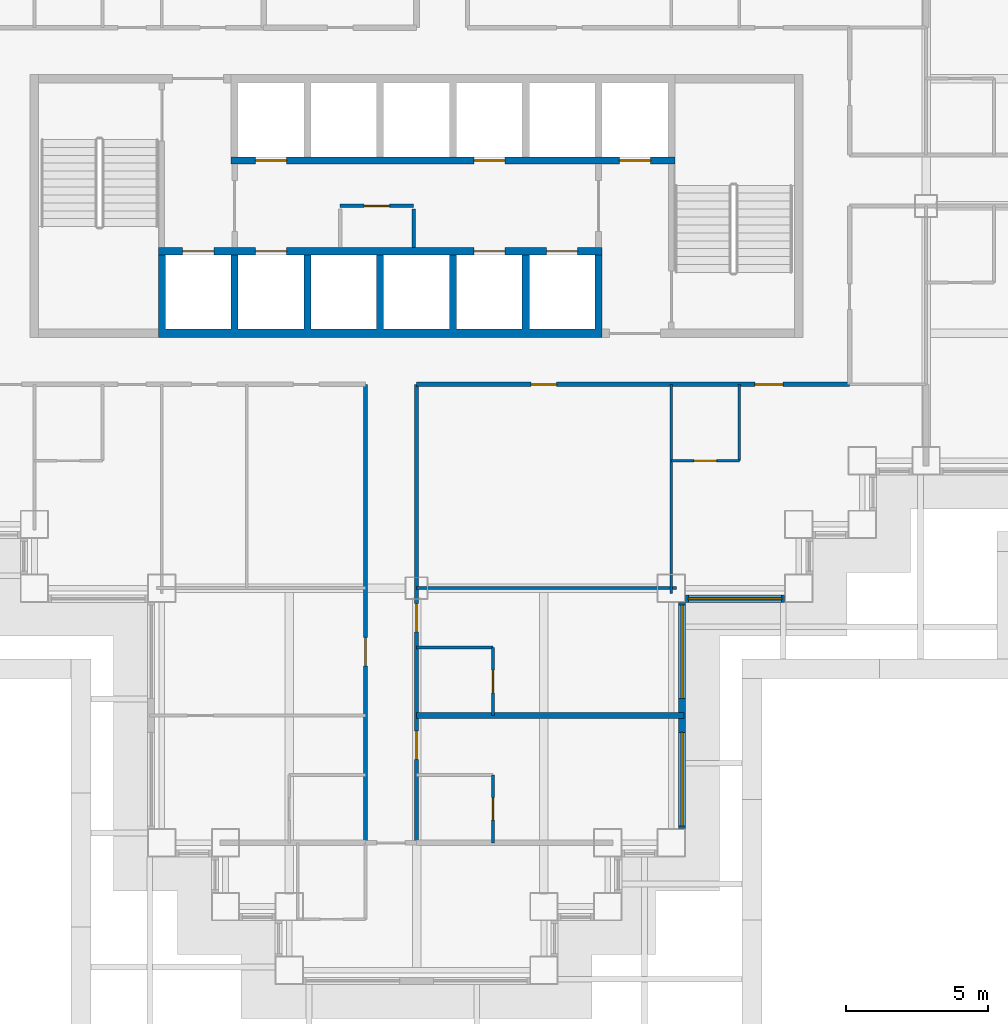
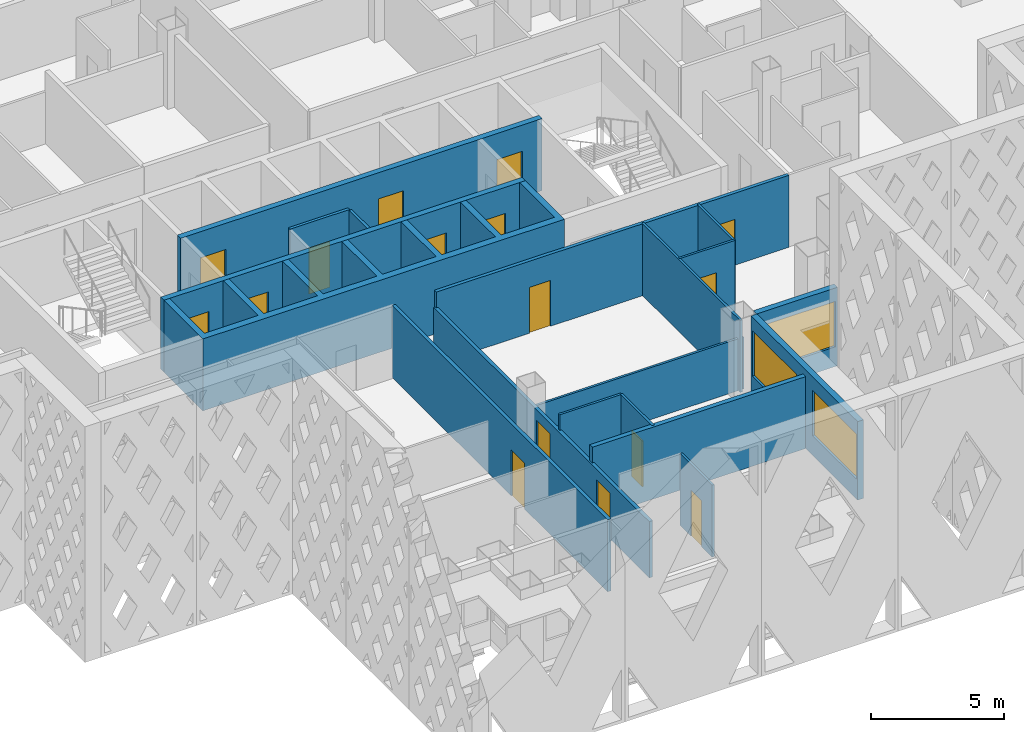
# One storey, part 5 of 19: 18 walls, 16 doors, 3 windows, 19 openings.
"""IFC4 building model written with IfcOpenShell, lengths in metres."""

from ifc_helpers import new_model, si_unit, direction, frame, frame_2d, origin, place, context, subcontext, project, spatial, polyline, rectangle, outline, extrude, material, layer, layer_set, type_object, element, fill, save


model = new_model("IFC4")

# Units and contexts
model_context = context("Model", 3, precision=1e-05, world=origin(), true_north=direction((0.0, 1.0)))
body_context = subcontext(model_context, "Body", "Model", "MODEL_VIEW")
ifc_project = project(units=[si_unit("LENGTHUNIT", "METRE"), si_unit("AREAUNIT", "SQUARE_METRE"), si_unit("VOLUMEUNIT", "CUBIC_METRE"), si_unit("PLANEANGLEUNIT", "RADIAN"), si_unit("MASSUNIT", "GRAM", prefix="KILO")], contexts=[model_context])

# Site, building, storey
site_placement = place(None, origin())
site = spatial("IfcSite", under=ifc_project, at=site_placement, CompositionType="ELEMENT")
building_placement = place(site_placement, origin())
building = spatial("IfcBuilding", under=site, at=building_placement, Name="Caravel Reach Hotel and Residences", CompositionType="ELEMENT")
storey_placement = place(building_placement, frame((0.0, 0.0, 63.60009765625)))
storey = spatial("IfcBuildingStorey", under=building, at=storey_placement, Name="L14", CompositionType="ELEMENT", Elevation=63.60009765625)

# Wall
ifc_material_1 = material(Name="Gypsum board on steel stud", Category="steel")
ifc_layer_1 = layer(ifc_material_1, 0.10009765625)
ifc_layer_set_1 = layer_set([ifc_layer_1], Name="Bathroom pod wall 100 mm")
wall_type_1 = type_object("IfcWallType", Name="Bathroom pod wall 100 mm", PredefinedType="PARTITIONING", material=ifc_layer_set_1)
wall_1_placement = place(storey_placement, frame((31.5, 11.39990234375, 0.0), z_axis=(0.0, 0.0, 1.0), x_axis=(1.0, 0.0, 0.0)))
element("IfcWall", 1, at=wall_1_placement, inside=storey, type_object=wall_type_1, Name="L14 wall w074", PredefinedType="PARTITIONING", context=body_context, shape_type="SweptSolid", body=[
    extrude(rectangle(XDim=2.699951171875, YDim=0.10009765625, at=frame_2d((1.35009765625, 0.0))), origin(), (0.0, 0.0, 1.0), 3.2998046875),
])

# Wall, opening, door
wall_2_placement = place(storey_placement, frame((40.5, 18.0, 0.0), z_axis=(0.0, 0.0, 1.0), x_axis=(1.0, 0.0, 0.0)))
wall_2 = element("IfcWall", 2, at=wall_2_placement, inside=storey, type_object=wall_type_1, Name="L14 wall w076", PredefinedType="PARTITIONING", context=body_context, shape_type="SweptSolid", body=[
    extrude(rectangle(XDim=2.39990234375, YDim=0.10009765625, at=frame_2d((1.199951171875, 0.0))), origin(), (0.0, 0.0, 1.0), 3.2998046875),
])
opening_1_placement = place(wall_2_placement, frame((0.800048828125, 0.0, 0.0)))
opening_1 = element("IfcOpeningElement", 3, at=opening_1_placement, cuts=wall_2, Name="Opening D14-050", PredefinedType="OPENING", context=body_context, shape_type="SweptSolid", body=[
    extrude(rectangle(XDim=0.800048828125, YDim=2.10009765625, at=frame_2d((0.39990234375, 1.050048828125))), frame((0.0, 0.06005859375, 0.0), z_axis=(0.0, -1.0, 0.0), x_axis=(1.0, 0.0, 0.0)), (0.0, 0.0, 1.0), 0.1201171875),
])
ifc_material_2 = material(Name="Timber and steel door leaf", Category="steel")
door_type_1 = type_object("IfcDoorType", Name="Bathroom door 800 x 2100", OperationType="SINGLE_SWING_LEFT", PredefinedType="DOOR", material=ifc_material_2)
door_1_placement = place(opening_1_placement, origin())
door_1 = element("IfcDoor", 4, at=door_1_placement, inside=storey, type_object=door_type_1, Name="door D14-050", OperationType="SINGLE_SWING_RIGHT", OverallHeight=2.10009765625, OverallWidth=0.800048828125, PredefinedType="DOOR", context=body_context, shape_type="SweptSolid", body=[
    extrude(rectangle(XDim=0.800048828125, YDim=2.10009765625, at=frame_2d((0.39990234375, 1.050048828125))), frame((0.0, 0.02490234375, 0.0), z_axis=(0.0, -1.0, 0.0), x_axis=(1.0, 0.0, 0.0)), (0.0, 0.0, 1.0), 0.050048828125),
])
fill(opening_1, door_1)

wall_3_placement = place(storey_placement, frame((34.199951171875, 9.0, 0.0), z_axis=(0.0, 0.0, 1.0), x_axis=(0.0, 1.0, 0.0)))
wall_3 = element("IfcWall", 5, at=wall_3_placement, inside=storey, type_object=wall_type_1, Name="L14 wall w098", PredefinedType="PARTITIONING", context=body_context, shape_type="SweptSolid", body=[
    extrude(rectangle(XDim=2.39990234375, YDim=0.10009765625, at=frame_2d((1.199951171875, 0.0))), origin(), (0.0, 0.0, 1.0), 3.2998046875),
])
opening_2_placement = place(wall_3_placement, frame((0.800048828125, 0.0, 0.0)))
opening_2 = element("IfcOpeningElement", 6, at=opening_2_placement, cuts=wall_3, Name="Opening D14-034", PredefinedType="OPENING", context=body_context, shape_type="SweptSolid", body=[
    extrude(rectangle(XDim=0.800048828125, YDim=2.10009765625, at=frame_2d((0.39990234375, 1.050048828125))), frame((0.0, 0.06005859375, 0.0), z_axis=(0.0, -1.0, 0.0), x_axis=(1.0, 0.0, 0.0)), (0.0, 0.0, 1.0), 0.1201171875),
])
door_2_placement = place(opening_2_placement, origin())
door_2 = element("IfcDoor", 7, at=door_2_placement, inside=storey, type_object=door_type_1, Name="door D14-034", OperationType="SINGLE_SWING_LEFT", OverallHeight=2.10009765625, OverallWidth=0.800048828125, PredefinedType="DOOR", context=body_context, shape_type="SweptSolid", body=[
    extrude(rectangle(XDim=0.800048828125, YDim=2.10009765625, at=frame_2d((0.39990234375, 1.050048828125))), frame((0.0, 0.02490234375, 0.0), z_axis=(0.0, -1.0, 0.0), x_axis=(1.0, 0.0, 0.0)), (0.0, 0.0, 1.0), 0.050048828125),
])
fill(opening_2, door_2)

wall_4_placement = place(storey_placement, frame((34.199951171875, 4.5, 0.0), z_axis=(0.0, 0.0, 1.0), x_axis=(0.0, 1.0, 0.0)))
wall_4 = element("IfcWall", 8, at=wall_4_placement, inside=storey, type_object=wall_type_1, Name="L14 wall w099", PredefinedType="PARTITIONING", context=body_context, shape_type="SweptSolid", body=[
    extrude(rectangle(XDim=2.39990234375, YDim=0.10009765625, at=frame_2d((1.199951171875, 0.0))), origin(), (0.0, 0.0, 1.0), 3.2998046875),
])
opening_3_placement = place(wall_4_placement, frame((0.800048828125, 0.0, 0.0)))
opening_3 = element("IfcOpeningElement", 9, at=opening_3_placement, cuts=wall_4, Name="Opening D14-036", PredefinedType="OPENING", context=body_context, shape_type="SweptSolid", body=[
    extrude(rectangle(XDim=0.800048828125, YDim=2.10009765625, at=frame_2d((0.39990234375, 1.050048828125))), frame((0.0, 0.06005859375, 0.0), z_axis=(0.0, -1.0, 0.0), x_axis=(1.0, 0.0, 0.0)), (0.0, 0.0, 1.0), 0.1201171875),
])
door_3_placement = place(opening_3_placement, origin())
door_3 = element("IfcDoor", 10, at=door_3_placement, inside=storey, type_object=door_type_1, Name="door D14-036", OperationType="SINGLE_SWING_LEFT", OverallHeight=2.10009765625, OverallWidth=0.800048828125, PredefinedType="DOOR", context=body_context, shape_type="SweptSolid", body=[
    extrude(rectangle(XDim=0.800048828125, YDim=2.10009765625, at=frame_2d((0.39990234375, 1.050048828125))), frame((0.0, 0.02490234375, 0.0), z_axis=(0.0, -1.0, 0.0), x_axis=(1.0, 0.0, 0.0)), (0.0, 0.0, 1.0), 0.050048828125),
])
fill(opening_3, door_3)

# Wall
wall_5_placement = place(storey_placement, frame((42.89990234375, 18.0, 0.0), z_axis=(0.0, 0.0, 1.0), x_axis=(0.0, 1.0, 0.0)))
element("IfcWall", 11, at=wall_5_placement, inside=storey, type_object=wall_type_1, Name="L14 wall w102", PredefinedType="PARTITIONING", context=body_context, shape_type="SweptSolid", body=[
    extrude(rectangle(XDim=2.699951171875, YDim=0.10009765625, at=frame_2d((1.35009765625, 0.0))), origin(), (0.0, 0.0, 1.0), 3.2998046875),
])

# Wall, openings, doors
ifc_material_3 = material(Name="Gypsum board on steel stud, fire-rated", Category="steel")
ifc_layer_2 = layer(ifc_material_3, 0.14990234375)
ifc_layer_set_2 = layer_set([ifc_layer_2], Name="Corridor wall 150 mm EI 60")
wall_type_2 = type_object("IfcWallType", Name="Corridor wall 150 mm EI 60", PredefinedType="PARTITIONING", material=ifc_layer_set_2)
wall_6_placement = place(storey_placement, frame((31.5, 20.699951171875, 0.0), z_axis=(0.0, 0.0, 1.0), x_axis=(1.0, 0.0, 0.0)))
wall_6 = element("IfcWall", 12, at=wall_6_placement, inside=storey, type_object=wall_type_2, Name="L14 wall w005", PredefinedType="PARTITIONING", context=body_context, shape_type="SweptSolid", body=[
    extrude(rectangle(XDim=15.300048828125, YDim=0.14990234375, at=frame_2d((7.64990234375, 0.0))), origin(), (0.0, 0.0, 1.0), 3.2998046875),
])
opening_4_placement = place(wall_6_placement, frame((11.949951171875, 0.0, 0.0)))
opening_4 = element("IfcOpeningElement", 13, at=opening_4_placement, cuts=wall_6, Name="Opening D14-049", PredefinedType="OPENING", context=body_context, shape_type="SweptSolid", body=[
    extrude(rectangle(XDim=1.0, YDim=2.10009765625, at=frame_2d((0.5, 1.050048828125))), frame((0.0, 0.0849609375, 0.0), z_axis=(0.0, -1.0, 0.0), x_axis=(1.0, 0.0, 0.0)), (0.0, 0.0, 1.0), 0.169921875),
])
opening_5_placement = place(wall_6_placement, frame((4.050048828125, 0.0, 0.0)))
opening_5 = element("IfcOpeningElement", 14, at=opening_5_placement, cuts=wall_6, Name="Opening D14-056", PredefinedType="OPENING", context=body_context, shape_type="SweptSolid", body=[
    extrude(rectangle(XDim=0.89990234375, YDim=2.10009765625, at=frame_2d((0.449951171875, 1.050048828125))), frame((0.0, 0.0849609375, 0.0), z_axis=(0.0, -1.0, 0.0), x_axis=(1.0, 0.0, 0.0)), (0.0, 0.0, 1.0), 0.169921875),
])
ifc_material_4 = material(Name="Timber and steel door leaf", Category="steel")
door_type_2 = type_object("IfcDoorType", Name="Door 900 x 2100 timber", OperationType="SINGLE_SWING_LEFT", PredefinedType="DOOR", material=ifc_material_4)
door_4_placement = place(opening_5_placement, origin())
door_4 = element("IfcDoor", 15, at=door_4_placement, inside=storey, type_object=door_type_2, Name="door D14-056", OperationType="SINGLE_SWING_LEFT", OverallHeight=2.10009765625, OverallWidth=0.89990234375, PredefinedType="DOOR", context=body_context, shape_type="SweptSolid", body=[
    extrude(rectangle(XDim=0.89990234375, YDim=2.10009765625, at=frame_2d((0.449951171875, 1.050048828125))), frame((0.0, 0.02490234375, 0.0), z_axis=(0.0, -1.0, 0.0), x_axis=(1.0, 0.0, 0.0)), (0.0, 0.0, 1.0), 0.050048828125),
])
fill(opening_5, door_4)
ifc_material_5 = material(Name="Steel fire door leaf", Category="steel")
door_type_3 = type_object("IfcDoorType", Name="Guest room door 1000 x 2100 EI 30", OperationType="SINGLE_SWING_LEFT", PredefinedType="DOOR", material=ifc_material_5)
door_5_placement = place(opening_4_placement, origin())
door_5 = element("IfcDoor", 16, at=door_5_placement, inside=storey, type_object=door_type_3, Name="door D14-049", OperationType="SINGLE_SWING_RIGHT", OverallHeight=2.10009765625, OverallWidth=1.0, PredefinedType="DOOR", context=body_context, shape_type="SweptSolid", body=[
    extrude(rectangle(XDim=1.0, YDim=2.10009765625, at=frame_2d((0.5, 1.050048828125))), frame((0.0, 0.02490234375, 0.0), z_axis=(0.0, -1.0, 0.0), x_axis=(1.0, 0.0, 0.0)), (0.0, 0.0, 1.0), 0.050048828125),
])
fill(opening_4, door_5)

# Wall, opening, door
wall_7_placement = place(storey_placement, frame((29.699951171875, 4.5, 0.0), z_axis=(0.0, 0.0, 1.0), x_axis=(0.0, 1.0, 0.0)))
wall_7 = element("IfcWall", 17, at=wall_7_placement, inside=storey, type_object=wall_type_2, Name="L14 wall w024", PredefinedType="PARTITIONING", context=body_context, shape_type="SweptSolid", body=[
    extrude(rectangle(XDim=16.199951171875, YDim=0.14990234375, at=frame_2d((8.10009765625, 0.0))), origin(), (0.0, 0.0, 1.0), 3.2998046875),
])
opening_6_placement = place(wall_7_placement, frame((6.25, 0.0, 0.0)))
opening_6 = element("IfcOpeningElement", 18, at=opening_6_placement, cuts=wall_7, Name="Opening D14-030", PredefinedType="OPENING", context=body_context, shape_type="SweptSolid", body=[
    extrude(rectangle(XDim=1.0, YDim=2.10009765625, at=frame_2d((0.5, 1.050048828125))), frame((0.0, 0.0849609375, 0.0), z_axis=(0.0, -1.0, 0.0), x_axis=(1.0, 0.0, 0.0)), (0.0, 0.0, 1.0), 0.169921875),
])
door_6_placement = place(opening_6_placement, origin())
door_6 = element("IfcDoor", 19, at=door_6_placement, inside=storey, type_object=door_type_3, Name="door D14-030", OperationType="SINGLE_SWING_RIGHT", OverallHeight=2.10009765625, OverallWidth=1.0, PredefinedType="DOOR", context=body_context, shape_type="SweptSolid", body=[
    extrude(rectangle(XDim=1.0, YDim=2.10009765625, at=frame_2d((0.5, 1.050048828125))), frame((0.0, 0.02490234375, 0.0), z_axis=(0.0, -1.0, 0.0), x_axis=(1.0, 0.0, 0.0)), (0.0, 0.0, 1.0), 0.050048828125),
])
fill(opening_6, door_6)

# Wall, openings, doors
wall_8_placement = place(storey_placement, frame((31.5, 4.5, 0.0), z_axis=(0.0, 0.0, 1.0), x_axis=(0.0, 1.0, 0.0)))
wall_8 = element("IfcWall", 20, at=wall_8_placement, inside=storey, type_object=wall_type_2, Name="L14 wall w029", PredefinedType="PARTITIONING", context=body_context, shape_type="SweptSolid", body=[
    extrude(rectangle(XDim=16.199951171875, YDim=0.14990234375, at=frame_2d((8.10009765625, 0.0))), origin(), (0.0, 0.0, 1.0), 2.579833984375),
])
opening_7_placement = place(wall_8_placement, frame((7.449951171875, 0.0, 0.0)))
opening_7 = element("IfcOpeningElement", 21, at=opening_7_placement, cuts=wall_8, Name="Opening D14-033", PredefinedType="OPENING", context=body_context, shape_type="SweptSolid", body=[
    extrude(rectangle(XDim=1.0, YDim=2.10009765625, at=frame_2d((0.5, 1.050048828125))), frame((0.0, 0.0849609375, 0.0), z_axis=(0.0, -1.0, 0.0), x_axis=(1.0, 0.0, 0.0)), (0.0, 0.0, 1.0), 0.169921875),
])
opening_8_placement = place(wall_8_placement, frame((2.949951171875, 0.0, 0.0)))
opening_8 = element("IfcOpeningElement", 22, at=opening_8_placement, cuts=wall_8, Name="Opening D14-035", PredefinedType="OPENING", context=body_context, shape_type="SweptSolid", body=[
    extrude(rectangle(XDim=1.0, YDim=2.10009765625, at=frame_2d((0.5, 1.050048828125))), frame((0.0, 0.0849609375, 0.0), z_axis=(0.0, -1.0, 0.0), x_axis=(1.0, 0.0, 0.0)), (0.0, 0.0, 1.0), 0.169921875),
])
door_7_placement = place(opening_7_placement, origin())
door_7 = element("IfcDoor", 23, at=door_7_placement, inside=storey, type_object=door_type_3, Name="door D14-033", OperationType="SINGLE_SWING_RIGHT", OverallHeight=2.10009765625, OverallWidth=1.0, PredefinedType="DOOR", context=body_context, shape_type="SweptSolid", body=[
    extrude(rectangle(XDim=1.0, YDim=2.10009765625, at=frame_2d((0.5, 1.050048828125))), frame((0.0, 0.02490234375, 0.0), z_axis=(0.0, -1.0, 0.0), x_axis=(1.0, 0.0, 0.0)), (0.0, 0.0, 1.0), 0.050048828125),
])
fill(opening_7, door_7)
door_8_placement = place(opening_8_placement, origin())
door_8 = element("IfcDoor", 24, at=door_8_placement, inside=storey, type_object=door_type_3, Name="door D14-035", OperationType="SINGLE_SWING_RIGHT", OverallHeight=2.10009765625, OverallWidth=1.0, PredefinedType="DOOR", context=body_context, shape_type="SweptSolid", body=[
    extrude(rectangle(XDim=1.0, YDim=2.10009765625, at=frame_2d((0.5, 1.050048828125))), frame((0.0, 0.02490234375, 0.0), z_axis=(0.0, -1.0, 0.0), x_axis=(1.0, 0.0, 0.0)), (0.0, 0.0, 1.0), 0.050048828125),
])
fill(opening_8, door_8)

# Wall, openings, windows
ifc_material_6 = material(Name="Insulated rainscreen wall, aluminium cladding", Category="aluminium")
ifc_layer_3 = layer(ifc_material_6, 0.25)
ifc_layer_set_3 = layer_set([ifc_layer_3], Name="EW1 Tower rainscreen wall")
wall_type_3 = type_object("IfcWallType", Name="EW1 Tower rainscreen wall", PredefinedType="SOLIDWALL", material=ifc_layer_set_3)
wall_9_placement = place(storey_placement, frame((40.875, 5.0, 0.0), z_axis=(0.0, 0.0, 1.0), x_axis=(0.0, 1.0, 0.0)))
wall_9 = element("IfcWall", 25, at=wall_9_placement, inside=storey, type_object=wall_type_3, Name="External wall L14 E10.1", PredefinedType="SOLIDWALL", context=body_context, shape_type="SweptSolid", body=[
    extrude(rectangle(XDim=8.0, YDim=0.25, at=frame_2d((4.0, 0.0))), origin(), (0.0, 0.0, 1.0), 3.599853515625),
])
opening_9_placement = place(wall_9_placement, frame((0.10009765625, 0.0, 0.89990234375)))
opening_9 = element("IfcOpeningElement", 26, at=opening_9_placement, cuts=wall_9, Name="Opening WN4", PredefinedType="OPENING", context=body_context, shape_type="SweptSolid", body=[
    extrude(rectangle(XDim=3.300048828125, YDim=2.080078125, at=frame_2d((1.64990234375, 1.0400390625))), frame((0.0, 0.135009765625, 0.0), z_axis=(0.0, -1.0, 0.0), x_axis=(1.0, 0.0, 0.0)), (0.0, 0.0, 1.0), 0.27001953125),
])
opening_10_placement = place(wall_9_placement, frame((4.60009765625, 0.0, 0.89990234375)))
opening_10 = element("IfcOpeningElement", 27, at=opening_10_placement, cuts=wall_9, Name="Opening WN4", PredefinedType="OPENING", context=body_context, shape_type="SweptSolid", body=[
    extrude(rectangle(XDim=3.300048828125, YDim=2.080078125, at=frame_2d((1.64990234375, 1.0400390625))), frame((0.0, 0.135009765625, 0.0), z_axis=(0.0, -1.0, 0.0), x_axis=(1.0, 0.0, 0.0)), (0.0, 0.0, 1.0), 0.27001953125),
])
ifc_material_7 = material(Name="Dark low-e glazing in black aluminium frame", Category="aluminium")
window_type = type_object("IfcWindowType", Name="Hotel guest room window 3300 x 2080", PartitioningType="SINGLE_PANEL", PredefinedType="WINDOW", material=ifc_material_7)
window_1_placement = place(opening_9_placement, origin())
window_1 = element("IfcWindow", 28, at=window_1_placement, inside=storey, type_object=window_type, Name="Window L14 E10.1.1", OverallHeight=2.080078125, OverallWidth=3.300048828125, PartitioningType="SINGLE_PANEL", PredefinedType="WINDOW", context=body_context, shape_type="SweptSolid", body=[
    extrude(rectangle(XDim=3.300048828125, YDim=2.080078125, at=frame_2d((1.64990234375, 1.0400390625))), frame((0.0, 0.030029296875, 0.0), z_axis=(0.0, -1.0, 0.0), x_axis=(1.0, 0.0, 0.0)), (0.0, 0.0, 1.0), 0.06005859375),
])
fill(opening_9, window_1)
window_2_placement = place(opening_10_placement, origin())
window_2 = element("IfcWindow", 29, at=window_2_placement, inside=storey, type_object=window_type, Name="Window L14 E10.1.2", OverallHeight=2.080078125, OverallWidth=3.300048828125, PartitioningType="SINGLE_PANEL", PredefinedType="WINDOW", context=body_context, shape_type="SweptSolid", body=[
    extrude(rectangle(XDim=3.300048828125, YDim=2.080078125, at=frame_2d((1.64990234375, 1.0400390625))), frame((0.0, 0.030029296875, 0.0), z_axis=(0.0, -1.0, 0.0), x_axis=(1.0, 0.0, 0.0)), (0.0, 0.0, 1.0), 0.06005859375),
])
fill(opening_10, window_2)

# Wall, opening, window
wall_10_placement = place(storey_placement, frame((41.0, 13.125, 0.0), z_axis=(0.0, 0.0, 1.0), x_axis=(1.0, 0.0, 0.0)))
wall_10 = element("IfcWall", 30, at=wall_10_placement, inside=storey, type_object=wall_type_3, Name="External wall L14 S11.1", PredefinedType="SOLIDWALL", context=body_context, shape_type="SweptSolid", body=[
    extrude(rectangle(XDim=3.5, YDim=0.25, at=frame_2d((1.75, 0.0))), origin(), (0.0, 0.0, 1.0), 3.599853515625),
])
opening_11_placement = place(wall_10_placement, frame((0.10009765625, 0.0, 0.89990234375)))
opening_11 = element("IfcOpeningElement", 31, at=opening_11_placement, cuts=wall_10, Name="Opening WN4", PredefinedType="OPENING", context=body_context, shape_type="SweptSolid", body=[
    extrude(rectangle(XDim=3.300048828125, YDim=2.080078125, at=frame_2d((1.64990234375, 1.0400390625))), frame((0.0, 0.135009765625, 0.0), z_axis=(0.0, -1.0, 0.0), x_axis=(1.0, 0.0, 0.0)), (0.0, 0.0, 1.0), 0.27001953125),
])
window_3_placement = place(opening_11_placement, origin())
window_3 = element("IfcWindow", 32, at=window_3_placement, inside=storey, type_object=window_type, Name="Window L14 S11.1.1", OverallHeight=2.080078125, OverallWidth=3.300048828125, PartitioningType="SINGLE_PANEL", PredefinedType="WINDOW", context=body_context, shape_type="SweptSolid", body=[
    extrude(rectangle(XDim=3.300048828125, YDim=2.080078125, at=frame_2d((1.64990234375, 1.0400390625))), frame((0.0, 0.030029296875, 0.0), z_axis=(0.0, -1.0, 0.0), x_axis=(1.0, 0.0, 0.0)), (0.0, 0.0, 1.0), 0.06005859375),
])
fill(opening_11, window_3)

# Walls
ifc_material_8 = material(Name="Gypsum board on steel stud", Category="steel")
ifc_layer_4 = layer(ifc_material_8, 0.10009765625)
ifc_layer_set_4 = layer_set([ifc_layer_4], Name="Partition 100 mm")
wall_type_4 = type_object("IfcWallType", Name="Partition 100 mm", PredefinedType="PARTITIONING", material=ifc_layer_set_4)
wall_11_placement = place(storey_placement, frame((31.5, 13.5, 0.0), z_axis=(0.0, 0.0, 1.0), x_axis=(1.0, 0.0, 0.0)))
element("IfcWall", 33, at=wall_11_placement, inside=storey, type_object=wall_type_4, Name="L14 wall w038", PredefinedType="PARTITIONING", context=body_context, shape_type="SweptSolid", body=[
    extrude(rectangle(XDim=9.18994140625, YDim=0.10009765625, at=frame_2d((4.594970703125, 0.0))), origin(), (0.0, 0.0, 1.0), 2.3798828125),
])
wall_12_placement = place(storey_placement, frame((40.5, 13.31005859375, 0.0), z_axis=(0.0, 0.0, 1.0), x_axis=(0.0, 1.0, 0.0)))
element("IfcWall", 34, at=wall_12_placement, inside=storey, type_object=wall_type_4, Name="L14 wall w059", PredefinedType="PARTITIONING", context=body_context, shape_type="SweptSolid", body=[
    extrude(rectangle(XDim=7.389892578125, YDim=0.10009765625, at=frame_2d((3.69482421875, 0.0))), origin(), (0.0, 0.0, 1.0), 3.2998046875),
])
ifc_material_9 = material(Name="Autoclaved aerated block wall")
ifc_layer_5 = layer(ifc_material_9, 0.199951171875)
ifc_layer_set_5 = layer_set([ifc_layer_5], Name="Party wall 200 mm EI 60")
wall_type_5 = type_object("IfcWallType", Name="Party wall 200 mm EI 60", PredefinedType="PARTITIONING", material=ifc_layer_set_5)
wall_13_placement = place(storey_placement, frame((31.5, 9.0, 0.0), z_axis=(0.0, 0.0, 1.0), x_axis=(1.0, 0.0, 0.0)))
element("IfcWall", 35, at=wall_13_placement, inside=storey, type_object=wall_type_5, Name="L14 wall w069", PredefinedType="PARTITIONING", context=body_context, shape_type="SweptSolid", body=[
    extrude(rectangle(XDim=9.43994140625, YDim=0.199951171875, at=frame_2d((4.719970703125, 0.0))), origin(), (0.0, 0.0, 1.0), 3.2998046875),
])

# Wall, opening, door
ifc_material_10 = material(Name="Autoclaved aerated block wall")
ifc_layer_6 = layer(ifc_material_10, 0.125)
ifc_layer_set_6 = layer_set([ifc_layer_6], Name="Riser wall 125 mm EI 60")
wall_type_6 = type_object("IfcWallType", Name="Riser wall 125 mm EI 60", PredefinedType="PARTITIONING", material=ifc_layer_set_6)
wall_14_placement = place(storey_placement, frame((28.800048828125, 27.0, 0.0), z_axis=(0.0, 0.0, 1.0), x_axis=(1.0, 0.0, 0.0)))
wall_14 = element("IfcWall", 36, at=wall_14_placement, inside=storey, type_object=wall_type_6, Name="L14 service room wall S1", PredefinedType="PARTITIONING", context=body_context, shape_type="SweptSolid", body=[
    extrude(rectangle(XDim=2.599853515625, YDim=0.125, at=frame_2d((1.2998046875, 0.0))), origin(), (0.0, 0.0, 1.0), 3.2998046875),
])
opening_12_placement = place(wall_14_placement, frame((0.85009765625, 0.0, 0.0)))
opening_12 = element("IfcOpeningElement", 37, at=opening_12_placement, cuts=wall_14, Name="Opening D14-008", PredefinedType="OPENING", context=body_context, shape_type="SweptSolid", body=[
    extrude(rectangle(XDim=0.89990234375, YDim=2.10009765625, at=frame_2d((0.449951171875, 1.050048828125))), frame((0.0, 0.072509765625, 0.0), z_axis=(0.0, -1.0, 0.0), x_axis=(1.0, 0.0, 0.0)), (0.0, 0.0, 1.0), 0.14501953125),
])
ifc_material_11 = material(Name="Steel fire door leaf", Category="steel")
door_type_4 = type_object("IfcDoorType", Name="Riser door 900 x 2100 EI 60", OperationType="SINGLE_SWING_LEFT", PredefinedType="DOOR", material=ifc_material_11)
door_9_placement = place(opening_12_placement, origin())
door_9 = element("IfcDoor", 38, at=door_9_placement, inside=storey, type_object=door_type_4, Name="Service store door", OperationType="SINGLE_SWING_LEFT", OverallHeight=2.10009765625, OverallWidth=0.89990234375, PredefinedType="DOOR", context=body_context, shape_type="SweptSolid", body=[
    extrude(rectangle(XDim=0.89990234375, YDim=2.10009765625, at=frame_2d((0.449951171875, 1.050048828125))), frame((0.0, 0.02490234375, 0.0), z_axis=(0.0, -1.0, 0.0), x_axis=(1.0, 0.0, 0.0)), (0.0, 0.0, 1.0), 0.050048828125),
])
fill(opening_12, door_9)

# Walls
wall_15_placement = place(storey_placement, frame((31.39990234375, 25.52490234375, 0.0), z_axis=(0.0, 0.0, 1.0), x_axis=(0.0, 1.0, 0.0)))
element("IfcWall", 39, at=wall_15_placement, inside=storey, type_object=wall_type_6, Name="L14 service room partition S1", PredefinedType="PARTITIONING", context=body_context, shape_type="SweptSolid", body=[
    extrude(rectangle(XDim=1.375, YDim=0.125, at=frame_2d((0.6875, 0.0))), origin(), (0.0, 0.0, 1.0), 3.2998046875),
])
ifc_material_12 = material(Name="Concrete C60", Category="concrete")
ifc_layer_7 = layer(ifc_material_12, 0.25)
ifc_layer_set_7 = layer_set([ifc_layer_7], Name="Shaft wall 250 mm EI 120")
wall_type_7 = type_object("IfcWallType", Name="Shaft wall 250 mm EI 120", PredefinedType="SHEAR", material=ifc_layer_set_7)
wall_16_placement = place(storey_placement, origin())
element("IfcWall", 40, at=wall_16_placement, inside=storey, type_object=wall_type_7, Name="L14 lift shaft wall S1", PredefinedType="SHEAR", context=body_context, shape_type="SweptSolid", body=[
    extrude(outline(polyline([(22.375, 22.35009765625), (38.053466796875, 22.35009765625), (38.053466796875, 25.27490234375), (37.803466796875, 25.27490234375), (37.803466796875, 22.64990234375), (35.482177734375, 22.64990234375), (35.482177734375, 25.27490234375), (35.232177734375, 25.27490234375), (35.232177734375, 22.64990234375), (32.91064453125, 22.64990234375), (32.91064453125, 25.27490234375), (32.66064453125, 25.27490234375), (32.66064453125, 22.64990234375), (30.33935546875, 22.64990234375), (30.33935546875, 25.27490234375), (30.08935546875, 25.27490234375), (30.08935546875, 22.64990234375), (27.767822265625, 22.64990234375), (27.767822265625, 25.27490234375), (27.517822265625, 25.27490234375), (27.517822265625, 22.64990234375), (25.196533203125, 22.64990234375), (25.196533203125, 25.27490234375), (24.946533203125, 25.27490234375), (24.946533203125, 22.64990234375), (22.625, 22.64990234375), (22.625, 25.27490234375), (22.375, 25.27490234375), (22.375, 22.35009765625)])), origin(), (0.0, 0.0, 1.0), 3.2998046875),
])

# Wall, openings, doors
wall_17_placement = place(storey_placement, frame((22.375, 25.39990234375, 0.0), z_axis=(0.0, 0.0, 1.0), x_axis=(1.0, 0.0, 0.0)))
wall_17 = element("IfcWall", 41, at=wall_17_placement, inside=storey, type_object=wall_type_7, Name="L14 lobby wall S1", PredefinedType="SHEAR", context=body_context, shape_type="SweptSolid", body=[
    extrude(rectangle(XDim=15.678466796875, YDim=0.25, at=frame_2d((7.83935546875, 0.0))), origin(), (0.0, 0.0, 1.0), 3.2998046875),
])
opening_13_placement = place(wall_17_placement, frame((3.43212890625, 0.0, 0.0)))
opening_13 = element("IfcOpeningElement", 42, at=opening_13_placement, cuts=wall_17, Name="Opening D14-001", PredefinedType="OPENING", context=body_context, shape_type="SweptSolid", body=[
    extrude(rectangle(XDim=1.10009765625, YDim=2.10009765625, at=frame_2d((0.550048828125, 1.050048828125))), frame((0.0, 0.135009765625, 0.0), z_axis=(0.0, -1.0, 0.0), x_axis=(1.0, 0.0, 0.0)), (0.0, 0.0, 1.0), 0.27001953125),
])
opening_14_placement = place(wall_17_placement, frame((11.146484375, 0.0, 0.0)))
opening_14 = element("IfcOpeningElement", 43, at=opening_14_placement, cuts=wall_17, Name="Opening D14-002", PredefinedType="OPENING", context=body_context, shape_type="SweptSolid", body=[
    extrude(rectangle(XDim=1.10009765625, YDim=2.10009765625, at=frame_2d((0.550048828125, 1.050048828125))), frame((0.0, 0.135009765625, 0.0), z_axis=(0.0, -1.0, 0.0), x_axis=(1.0, 0.0, 0.0)), (0.0, 0.0, 1.0), 0.27001953125),
])
opening_15_placement = place(wall_17_placement, frame((13.718017578125, 0.0, 0.0)))
opening_15 = element("IfcOpeningElement", 44, at=opening_15_placement, cuts=wall_17, Name="Opening D14-003", PredefinedType="OPENING", context=body_context, shape_type="SweptSolid", body=[
    extrude(rectangle(XDim=1.10009765625, YDim=2.10009765625, at=frame_2d((0.550048828125, 1.050048828125))), frame((0.0, 0.135009765625, 0.0), z_axis=(0.0, -1.0, 0.0), x_axis=(1.0, 0.0, 0.0)), (0.0, 0.0, 1.0), 0.27001953125),
])
opening_16_placement = place(wall_17_placement, frame((0.860595703125, 0.0, 0.0)))
opening_16 = element("IfcOpeningElement", 45, at=opening_16_placement, cuts=wall_17, Name="Opening D14-006", PredefinedType="OPENING", context=body_context, shape_type="SweptSolid", body=[
    extrude(rectangle(XDim=1.10009765625, YDim=2.10009765625, at=frame_2d((0.550048828125, 1.050048828125))), frame((0.0, 0.135009765625, 0.0), z_axis=(0.0, -1.0, 0.0), x_axis=(1.0, 0.0, 0.0)), (0.0, 0.0, 1.0), 0.27001953125),
])
ifc_material_13 = material(Name="Stainless steel landing door", Category="steel")
door_type_5 = type_object("IfcDoorType", Name="Landing door LD 1100 x 2100 sliding", OperationType="DOUBLE_DOOR_SLIDING", PredefinedType="DOOR", material=ifc_material_13)
door_10_placement = place(opening_13_placement, origin())
door_10 = element("IfcDoor", 46, at=door_10_placement, inside=storey, type_object=door_type_5, Name="LP1 landing door", OperationType="DOUBLE_DOOR_SLIDING", OverallHeight=2.10009765625, OverallWidth=1.10009765625, PredefinedType="DOOR", context=body_context, shape_type="SweptSolid", body=[
    extrude(rectangle(XDim=1.10009765625, YDim=2.10009765625, at=frame_2d((0.550048828125, 1.050048828125))), frame((0.0, 0.02490234375, 0.0), z_axis=(0.0, -1.0, 0.0), x_axis=(1.0, 0.0, 0.0)), (0.0, 0.0, 1.0), 0.050048828125),
])
fill(opening_13, door_10)
door_11_placement = place(opening_14_placement, origin())
door_11 = element("IfcDoor", 47, at=door_11_placement, inside=storey, type_object=door_type_5, Name="LP2 landing door", OperationType="DOUBLE_DOOR_SLIDING", OverallHeight=2.10009765625, OverallWidth=1.10009765625, PredefinedType="DOOR", context=body_context, shape_type="SweptSolid", body=[
    extrude(rectangle(XDim=1.10009765625, YDim=2.10009765625, at=frame_2d((0.550048828125, 1.050048828125))), frame((0.0, 0.02490234375, 0.0), z_axis=(0.0, -1.0, 0.0), x_axis=(1.0, 0.0, 0.0)), (0.0, 0.0, 1.0), 0.050048828125),
])
fill(opening_14, door_11)
door_12_placement = place(opening_15_placement, origin())
door_12 = element("IfcDoor", 48, at=door_12_placement, inside=storey, type_object=door_type_5, Name="LP3 landing door", OperationType="DOUBLE_DOOR_SLIDING", OverallHeight=2.10009765625, OverallWidth=1.10009765625, PredefinedType="DOOR", context=body_context, shape_type="SweptSolid", body=[
    extrude(rectangle(XDim=1.10009765625, YDim=2.10009765625, at=frame_2d((0.550048828125, 1.050048828125))), frame((0.0, 0.02490234375, 0.0), z_axis=(0.0, -1.0, 0.0), x_axis=(1.0, 0.0, 0.0)), (0.0, 0.0, 1.0), 0.050048828125),
])
fill(opening_15, door_12)
door_13_placement = place(opening_16_placement, origin())
door_13 = element("IfcDoor", 49, at=door_13_placement, inside=storey, type_object=door_type_5, Name="FL1 landing door", OperationType="DOUBLE_DOOR_SLIDING", OverallHeight=2.10009765625, OverallWidth=1.10009765625, PredefinedType="DOOR", context=body_context, shape_type="SweptSolid", body=[
    extrude(rectangle(XDim=1.10009765625, YDim=2.10009765625, at=frame_2d((0.550048828125, 1.050048828125))), frame((0.0, 0.02490234375, 0.0), z_axis=(0.0, -1.0, 0.0), x_axis=(1.0, 0.0, 0.0)), (0.0, 0.0, 1.0), 0.050048828125),
])
fill(opening_16, door_13)

wall_18_placement = place(storey_placement, frame((24.946533203125, 28.60009765625, 0.0), z_axis=(0.0, 0.0, 1.0), x_axis=(1.0, 0.0, 0.0)))
wall_18 = element("IfcWall", 50, at=wall_18_placement, inside=storey, type_object=wall_type_7, Name="L14 lobby wall N1", PredefinedType="SHEAR", context=body_context, shape_type="SweptSolid", body=[
    extrude(rectangle(XDim=15.678466796875, YDim=0.25, at=frame_2d((7.83935546875, 0.0))), origin(), (0.0, 0.0, 1.0), 3.2998046875),
])
opening_17_placement = place(wall_18_placement, frame((0.860595703125, 0.0, 0.0)))
opening_17 = element("IfcOpeningElement", 51, at=opening_17_placement, cuts=wall_18, Name="Opening D14-004", PredefinedType="OPENING", context=body_context, shape_type="SweptSolid", body=[
    extrude(rectangle(XDim=1.10009765625, YDim=2.10009765625, at=frame_2d((0.550048828125, 1.050048828125))), frame((0.0, 0.135009765625, 0.0), z_axis=(0.0, -1.0, 0.0), x_axis=(1.0, 0.0, 0.0)), (0.0, 0.0, 1.0), 0.27001953125),
])
opening_18_placement = place(wall_18_placement, frame((8.574951171875, 0.0, 0.0)))
opening_18 = element("IfcOpeningElement", 52, at=opening_18_placement, cuts=wall_18, Name="Opening D14-005", PredefinedType="OPENING", context=body_context, shape_type="SweptSolid", body=[
    extrude(rectangle(XDim=1.10009765625, YDim=2.10009765625, at=frame_2d((0.550048828125, 1.050048828125))), frame((0.0, 0.135009765625, 0.0), z_axis=(0.0, -1.0, 0.0), x_axis=(1.0, 0.0, 0.0)), (0.0, 0.0, 1.0), 0.27001953125),
])
opening_19_placement = place(wall_18_placement, frame((13.718017578125, 0.0, 0.0)))
opening_19 = element("IfcOpeningElement", 53, at=opening_19_placement, cuts=wall_18, Name="Opening D14-007", PredefinedType="OPENING", context=body_context, shape_type="SweptSolid", body=[
    extrude(rectangle(XDim=1.10009765625, YDim=2.10009765625, at=frame_2d((0.550048828125, 1.050048828125))), frame((0.0, 0.135009765625, 0.0), z_axis=(0.0, -1.0, 0.0), x_axis=(1.0, 0.0, 0.0)), (0.0, 0.0, 1.0), 0.27001953125),
])
door_14_placement = place(opening_17_placement, origin())
door_14 = element("IfcDoor", 54, at=door_14_placement, inside=storey, type_object=door_type_5, Name="LP4 landing door", OperationType="DOUBLE_DOOR_SLIDING", OverallHeight=2.10009765625, OverallWidth=1.10009765625, PredefinedType="DOOR", context=body_context, shape_type="SweptSolid", body=[
    extrude(rectangle(XDim=1.10009765625, YDim=2.10009765625, at=frame_2d((0.550048828125, 1.050048828125))), frame((0.0, 0.02490234375, 0.0), z_axis=(0.0, -1.0, 0.0), x_axis=(1.0, 0.0, 0.0)), (0.0, 0.0, 1.0), 0.050048828125),
])
fill(opening_17, door_14)
door_15_placement = place(opening_18_placement, origin())
door_15 = element("IfcDoor", 55, at=door_15_placement, inside=storey, type_object=door_type_5, Name="LP5 landing door", OperationType="DOUBLE_DOOR_SLIDING", OverallHeight=2.10009765625, OverallWidth=1.10009765625, PredefinedType="DOOR", context=body_context, shape_type="SweptSolid", body=[
    extrude(rectangle(XDim=1.10009765625, YDim=2.10009765625, at=frame_2d((0.550048828125, 1.050048828125))), frame((0.0, 0.02490234375, 0.0), z_axis=(0.0, -1.0, 0.0), x_axis=(1.0, 0.0, 0.0)), (0.0, 0.0, 1.0), 0.050048828125),
])
fill(opening_18, door_15)
door_16_placement = place(opening_19_placement, origin())
door_16 = element("IfcDoor", 56, at=door_16_placement, inside=storey, type_object=door_type_5, Name="FL2 landing door", OperationType="DOUBLE_DOOR_SLIDING", OverallHeight=2.10009765625, OverallWidth=1.10009765625, PredefinedType="DOOR", context=body_context, shape_type="SweptSolid", body=[
    extrude(rectangle(XDim=1.10009765625, YDim=2.10009765625, at=frame_2d((0.550048828125, 1.050048828125))), frame((0.0, 0.02490234375, 0.0), z_axis=(0.0, -1.0, 0.0), x_axis=(1.0, 0.0, 0.0)), (0.0, 0.0, 1.0), 0.050048828125),
])
fill(opening_19, door_16)

save(model, "model.ifc")
